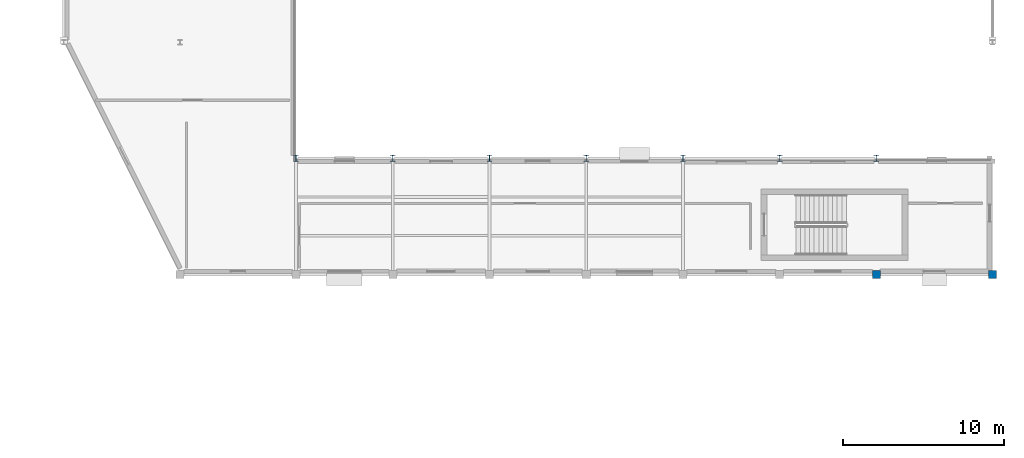
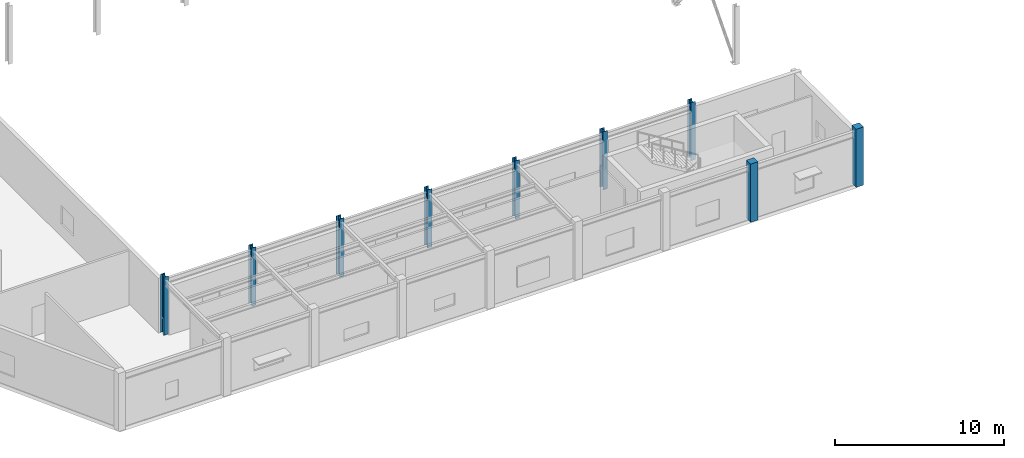
# One storey, part 5 of 60: 9 columns.
"""IFC4 building model written with IfcOpenShell, lengths in metres."""

from ifc_helpers import new_model, si_unit, direction, frame, origin, origin_2d, place, context, subcontext, project, spatial, rectangle, i_section, extrude, material, material_profile, profile_set, type_object, element, save


model = new_model("IFC4")

# Units and contexts
model_context = context("Model", 3, precision=1e-05, world=origin(), true_north=direction((0.0, 1.0)))
body_context = subcontext(model_context, "Body", "Model", "MODEL_VIEW")
ifc_project = project(units=[si_unit("LENGTHUNIT", "METRE"), si_unit("AREAUNIT", "SQUARE_METRE"), si_unit("VOLUMEUNIT", "CUBIC_METRE"), si_unit("PLANEANGLEUNIT", "RADIAN"), si_unit("MASSUNIT", "GRAM", prefix="KILO")], contexts=[model_context])

# Site, building, storey
site_placement = place(None, origin())
site = spatial("IfcSite", under=ifc_project, at=site_placement, CompositionType="ELEMENT")
building_placement = place(site_placement, origin())
building = spatial("IfcBuilding", under=site, at=building_placement, Name="Brisavento Harbour Community Centre", CompositionType="ELEMENT")
storey_placement = place(building_placement, frame((0.0, 0.0, 4.5)))
storey = spatial("IfcBuildingStorey", under=building, at=storey_placement, Name="L01", CompositionType="ELEMENT", Elevation=4.5)

# Columns
ifc_material_1 = material(Name="Concrete C35/45", Category="concrete")
ifc_material_profile_1 = material_profile(ifc_material_1, rectangle(XDim=0.5, YDim=0.5, at=origin_2d()), Name="Concrete C35/45")
ifc_profile_set_1 = profile_set([ifc_material_profile_1], Name="Concrete C35/45")
column_type_1 = type_object("IfcColumnType", Name="COL-RC-500", PredefinedType="COLUMN", material=ifc_profile_set_1)
for number, where, z_axis, x_axis, name in (
    (1, (165.60009765625, 79.199951171875, 0.0), (0.0, 0.0, 1.0), (1.0, 0.0, 0.0), "L01 column V4SB-7"),
    (2, (172.800048828125, 79.199951171875, 0.0), (0.0, 0.0, 1.0), (1.0, 0.0, 0.0), "L01 column V4SE-CORN"),
):
    element("IfcColumn", number, at=place(storey_placement, frame(where, z_axis=z_axis, x_axis=x_axis)), inside=storey, type_object=column_type_1, Name=name, PredefinedType="COLUMN", context=body_context, shape_type="SweptSolid", body=[
        extrude(rectangle(XDim=0.5, YDim=0.5, at=origin_2d()), origin(), (0.0, 0.0, 1.0), 4.199951171875),
    ])
ifc_material_2 = material(Name="Steel S355", Category="steel")
ifc_material_profile_2 = material_profile(ifc_material_2, i_section(OverallWidth=0.300048828125, OverallDepth=0.389892578125, WebThickness=0.010986328125, FlangeThickness=0.01904296875, FilletRadius=0.027099609375, at=origin_2d()), Name="Steel S355")
ifc_profile_set_2 = profile_set([ifc_material_profile_2], Name="Steel S355")
column_type_2 = type_object("IfcColumnType", Name="COL-STL-HEA400", PredefinedType="COLUMN", material=ifc_profile_set_2)
for number, where, z_axis, x_axis, name in (
    (3, (129.60009765625, 86.39990234375, 0.0), (0.0, 0.0, 1.0), (1.0, 0.0, 0.0), "L01 column V4TS-1"),
    (4, (135.60009765625, 86.39990234375, 0.0), (0.0, 0.0, 1.0), (1.0, 0.0, 0.0), "L01 column V4TS-2"),
    (5, (141.60009765625, 86.39990234375, 0.0), (0.0, 0.0, 1.0), (1.0, 0.0, 0.0), "L01 column V4TS-3"),
    (6, (147.60009765625, 86.39990234375, 0.0), (0.0, 0.0, 1.0), (1.0, 0.0, 0.0), "L01 column V4TS-4"),
    (7, (153.60009765625, 86.39990234375, 0.0), (0.0, 0.0, 1.0), (1.0, 0.0, 0.0), "L01 column V4TS-5"),
    (8, (159.60009765625, 86.39990234375, 0.0), (0.0, 0.0, 1.0), (1.0, 0.0, 0.0), "L01 column V4TS-6"),
    (9, (165.60009765625, 86.39990234375, 0.0), (0.0, 0.0, 1.0), (1.0, 0.0, 0.0), "L01 column V4TS-7"),
):
    element("IfcColumn", number, at=place(storey_placement, frame(where, z_axis=z_axis, x_axis=x_axis)), inside=storey, type_object=column_type_2, Name=name, PredefinedType="COLUMN", context=body_context, shape_type="SweptSolid", body=[
        extrude(i_section(OverallWidth=0.300048828125, OverallDepth=0.389892578125, WebThickness=0.010986328125, FlangeThickness=0.01904296875, FilletRadius=0.027099609375, at=origin_2d()), origin(), (0.0, 0.0, 1.0), 4.199951171875),
    ])

save(model, "model.ifc")
